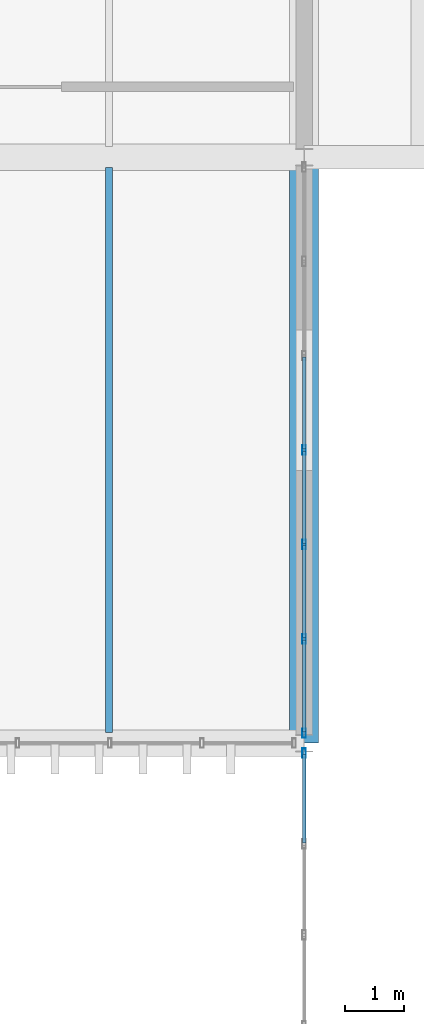
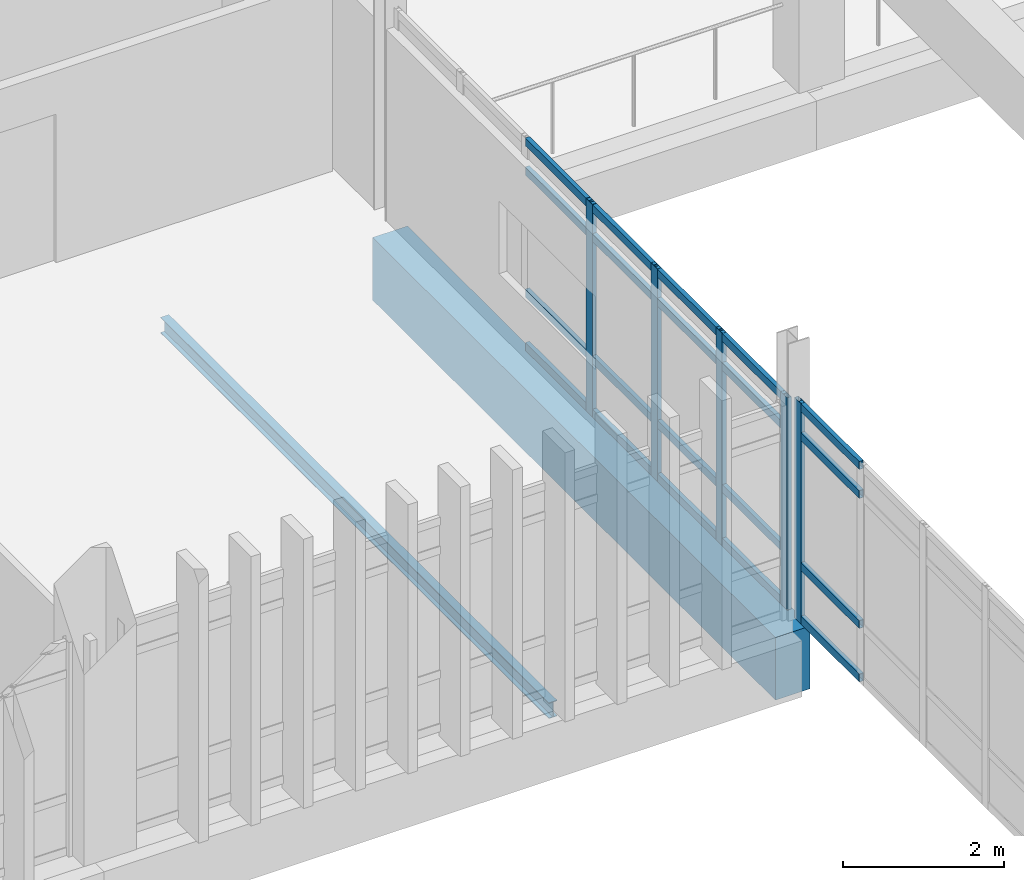
# One storey, part 48 of 111: 25 members, 2 beams, 2 elements without a shape of their own.
"""IFC4 building model written with IfcOpenShell, lengths in metres."""

from ifc_helpers import new_model, si_unit, direction, frame, origin, origin_2d, place, context, subcontext, project, spatial, rectangle, hollow_rectangle, i_section, extrude, material, layer, layer_set, material_profile, profile_set, type_object, element, aggregate, save


model = new_model("IFC4")

# Units and contexts
model_context = context("Model", 3, precision=1e-05, world=origin(), true_north=direction((0.0, 1.0)))
body_context = subcontext(model_context, "Body", "Model", "MODEL_VIEW")
ifc_project = project(units=[si_unit("LENGTHUNIT", "METRE"), si_unit("AREAUNIT", "SQUARE_METRE"), si_unit("VOLUMEUNIT", "CUBIC_METRE"), si_unit("PLANEANGLEUNIT", "RADIAN"), si_unit("MASSUNIT", "GRAM", prefix="KILO")], contexts=[model_context])

# Site, building, storey
site_placement = place(None, origin())
site = spatial("IfcSite", under=ifc_project, at=site_placement, CompositionType="ELEMENT")
building_placement = place(site_placement, origin())
building = spatial("IfcBuilding", under=site, at=building_placement, Name="Mersad Railyard Sports Hall", CompositionType="ELEMENT")
storey_placement = place(building_placement, frame((0.0, 0.0, 9.0)))
storey = spatial("IfcBuildingStorey", under=building, at=storey_placement, Name="L02", CompositionType="ELEMENT", Elevation=9.0)

# Curtain wall, member
ifc_material_1 = material(Name="Aluminium 6063-T6", Category="aluminium")
ifc_layer_1 = layer(ifc_material_1, 0.159912109375)
ifc_layer_set_1 = layer_set([ifc_layer_1], Name="Aluminium 6063-T6")
curtain_wall_type_1 = type_object("IfcCurtainWallType", Name="ARC-CW-CW20", PredefinedType="USERDEFINED", material=ifc_layer_set_1)
curtain_wall_1_placement = place(storey_placement, origin())
curtain_wall_1 = element("IfcCurtainWall", 1, at=curtain_wall_1_placement, inside=storey, type_object=curtain_wall_type_1, Name="Curtain wall CW20-0079", ObjectType="CURTAIN WALL", PredefinedType="USERDEFINED")
ifc_material_profile_1 = material_profile(ifc_material_1, hollow_rectangle(XDim=0.06005859375, YDim=0.159912109375, WallThickness=0.00390625, at=origin_2d()), Name="AL MULLION 60x160x4")
ifc_profile_set_1 = profile_set([ifc_material_profile_1], Name="Aluminium 6063-T6")
member_type_1 = type_object("IfcMemberType", Name="ARC-CW-MUL01", PredefinedType="MULLION", material=ifc_profile_set_1)
member_1_placement = place(storey_placement, frame((131.0, 84.830078125, -0.02001953125), z_axis=(0.0, 0.0, 1.0), x_axis=(1.0, 0.0, 0.0)))
member_1 = element("IfcMember", 2, at=member_1_placement, type_object=member_type_1, Name="CW20 Mullion 8", PredefinedType="MULLION", context=body_context, shape_type="SweptSolid", body=[
    extrude(hollow_rectangle(XDim=0.06005859375, YDim=0.159912109375, WallThickness=0.00390625, at=origin_2d()), origin(), (0.0, 0.0, 1.0), 3.340087890625),
])

# Curtain wall, members
ifc_layer_2 = layer(ifc_material_1, 0.159912109375)
ifc_layer_set_2 = layer_set([ifc_layer_2], Name="Aluminium 6063-T6")
curtain_wall_type_2 = type_object("IfcCurtainWallType", Name="ARC-CW-CW23", PredefinedType="USERDEFINED", material=ifc_layer_set_2)
curtain_wall_2_placement = place(storey_placement, origin())
curtain_wall_2 = element("IfcCurtainWall", 3, at=curtain_wall_2_placement, inside=storey, type_object=curtain_wall_type_2, Name="Curtain wall CW23-0081", ObjectType="CURTAIN WALL", PredefinedType="USERDEFINED")
member_2_placement = place(storey_placement, frame((131.0, 85.169921875, -0.02001953125), z_axis=(0.0, 0.0, 1.0), x_axis=(1.0, 0.0, 0.0)))
member_2 = element("IfcMember", 4, at=member_2_placement, type_object=member_type_1, Name="CW23 Mullion 1", PredefinedType="MULLION", context=body_context, shape_type="SweptSolid", body=[
    extrude(hollow_rectangle(XDim=0.06005859375, YDim=0.159912109375, WallThickness=0.00390625, at=origin_2d()), origin(), (0.0, 0.0, 1.0), 3.219970703125),
])
member_3_placement = place(storey_placement, frame((131.0, 86.780029296875, -0.02001953125), z_axis=(0.0, 0.0, 1.0), x_axis=(1.0, 0.0, 0.0)))
member_3 = element("IfcMember", 5, at=member_3_placement, type_object=member_type_1, Name="CW23 Mullion 2", PredefinedType="MULLION", context=body_context, shape_type="SweptSolid", body=[
    extrude(hollow_rectangle(XDim=0.06005859375, YDim=0.159912109375, WallThickness=0.00390625, at=origin_2d()), origin(), (0.0, 0.0, 1.0), 3.219970703125),
])
member_4_placement = place(storey_placement, frame((131.0, 88.389892578125, -0.02001953125), z_axis=(0.0, 0.0, 1.0), x_axis=(1.0, 0.0, 0.0)))
member_4 = element("IfcMember", 6, at=member_4_placement, type_object=member_type_1, Name="CW23 Mullion 3", PredefinedType="MULLION", context=body_context, shape_type="SweptSolid", body=[
    extrude(hollow_rectangle(XDim=0.06005859375, YDim=0.159912109375, WallThickness=0.00390625, at=origin_2d()), origin(), (0.0, 0.0, 1.0), 3.219970703125),
])
member_5_placement = place(storey_placement, frame((131.0, 90.0, -0.02001953125), z_axis=(0.0, 0.0, 1.0), x_axis=(1.0, 0.0, 0.0)))
member_5 = element("IfcMember", 7, at=member_5_placement, type_object=member_type_1, Name="CW23 Mullion 4", PredefinedType="MULLION", context=body_context, shape_type="SweptSolid", body=[
    extrude(hollow_rectangle(XDim=0.06005859375, YDim=0.159912109375, WallThickness=0.00390625, at=origin_2d()), origin(), (0.0, 0.0, 1.0), 3.219970703125),
])

# Member
ifc_material_profile_2 = material_profile(ifc_material_1, hollow_rectangle(XDim=0.06005859375, YDim=0.1201171875, WallThickness=0.00390625, at=origin_2d()), Name="AL TRANSOM 60x120x4")
ifc_profile_set_2 = profile_set([ifc_material_profile_2], Name="Aluminium 6063-T6")
member_type_2 = type_object("IfcMemberType", Name="ARC-CW-TRN01", PredefinedType="USERDEFINED", material=ifc_profile_set_2)
member_6_placement = place(storey_placement, frame((131.0, 83.298583984375, 0.0400390625), z_axis=(0.0, 1.0, 0.0), x_axis=(-1.0, 0.0, 0.0)))
member_6 = element("IfcMember", 8, at=member_6_placement, type_object=member_type_2, Name="CW20 Transom 1-7", ObjectType="TRANSOM", PredefinedType="USERDEFINED", context=body_context, shape_type="SweptSolid", body=[
    extrude(hollow_rectangle(XDim=0.06005859375, YDim=0.1201171875, WallThickness=0.00390625, at=origin_2d()), origin(), (0.0, 0.0, 1.0), 1.511474609375),
])

member_7_placement = place(storey_placement, frame((131.0, 83.298583984375, 0.85009765625), z_axis=(0.0, 1.0, 0.0), x_axis=(-1.0, 0.0, 0.0)))
member_7 = element("IfcMember", 9, at=member_7_placement, type_object=member_type_2, Name="CW20 Transom 2-7", ObjectType="TRANSOM", PredefinedType="USERDEFINED", context=body_context, shape_type="SweptSolid", body=[
    extrude(hollow_rectangle(XDim=0.06005859375, YDim=0.1201171875, WallThickness=0.00390625, at=origin_2d()), origin(), (0.0, 0.0, 1.0), 1.511474609375),
])

member_8_placement = place(storey_placement, frame((131.0, 83.298583984375, 2.820068359375), z_axis=(0.0, 1.0, 0.0), x_axis=(-1.0, 0.0, 0.0)))
member_8 = element("IfcMember", 10, at=member_8_placement, type_object=member_type_2, Name="CW20 Transom 3-7", ObjectType="TRANSOM", PredefinedType="USERDEFINED", context=body_context, shape_type="SweptSolid", body=[
    extrude(hollow_rectangle(XDim=0.06005859375, YDim=0.1201171875, WallThickness=0.00390625, at=origin_2d()), origin(), (0.0, 0.0, 1.0), 1.511474609375),
])

member_9_placement = place(storey_placement, frame((131.0, 83.298583984375, 3.260009765625), z_axis=(0.0, 1.0, 0.0), x_axis=(-1.0, 0.0, 0.0)))
member_9 = element("IfcMember", 11, at=member_9_placement, type_object=member_type_2, Name="CW20 Transom 4-7", ObjectType="TRANSOM", PredefinedType="USERDEFINED", context=body_context, shape_type="SweptSolid", body=[
    extrude(hollow_rectangle(XDim=0.06005859375, YDim=0.1201171875, WallThickness=0.00390625, at=origin_2d()), origin(), (0.0, 0.0, 1.0), 1.511474609375),
])

aggregate(curtain_wall_1, [member_1, member_6, member_7, member_8, member_9])

member_10_placement = place(storey_placement, frame((131.0, 85.18994140625, 0.0400390625), z_axis=(0.0, 1.0, 0.0), x_axis=(-1.0, 0.0, 0.0)))
member_10 = element("IfcMember", 12, at=member_10_placement, type_object=member_type_2, Name="CW23 Transom 1-1", ObjectType="TRANSOM", PredefinedType="USERDEFINED", context=body_context, shape_type="SweptSolid", body=[
    extrude(hollow_rectangle(XDim=0.06005859375, YDim=0.1201171875, WallThickness=0.00390625, at=origin_2d()), origin(), (0.0, 0.0, 1.0), 1.570068359375),
])

member_11_placement = place(storey_placement, frame((131.0, 86.800048828125, 0.0400390625), z_axis=(0.0, 1.0, 0.0), x_axis=(-1.0, 0.0, 0.0)))
member_11 = element("IfcMember", 13, at=member_11_placement, type_object=member_type_2, Name="CW23 Transom 1-2", ObjectType="TRANSOM", PredefinedType="USERDEFINED", context=body_context, shape_type="SweptSolid", body=[
    extrude(hollow_rectangle(XDim=0.06005859375, YDim=0.1201171875, WallThickness=0.00390625, at=origin_2d()), origin(), (0.0, 0.0, 1.0), 1.570068359375),
])

member_12_placement = place(storey_placement, frame((131.0, 88.409912109375, 0.0400390625), z_axis=(0.0, 1.0, 0.0), x_axis=(-1.0, 0.0, 0.0)))
member_12 = element("IfcMember", 14, at=member_12_placement, type_object=member_type_2, Name="CW23 Transom 1-3", ObjectType="TRANSOM", PredefinedType="USERDEFINED", context=body_context, shape_type="SweptSolid", body=[
    extrude(hollow_rectangle(XDim=0.06005859375, YDim=0.1201171875, WallThickness=0.00390625, at=origin_2d()), origin(), (0.0, 0.0, 1.0), 1.570068359375),
])

member_13_placement = place(storey_placement, frame((131.0, 90.02001953125, 0.0400390625), z_axis=(0.0, 1.0, 0.0), x_axis=(-1.0, 0.0, 0.0)))
member_13 = element("IfcMember", 15, at=member_13_placement, type_object=member_type_2, Name="CW23 Transom 1-4", ObjectType="TRANSOM", PredefinedType="USERDEFINED", context=body_context, shape_type="SweptSolid", body=[
    extrude(hollow_rectangle(XDim=0.06005859375, YDim=0.1201171875, WallThickness=0.00390625, at=origin_2d()), origin(), (0.0, 0.0, 1.0), 1.570068359375),
])

member_14_placement = place(storey_placement, frame((131.0, 85.18994140625, 0.85009765625), z_axis=(0.0, 1.0, 0.0), x_axis=(-1.0, 0.0, 0.0)))
member_14 = element("IfcMember", 16, at=member_14_placement, type_object=member_type_2, Name="CW23 Transom 2-1", ObjectType="TRANSOM", PredefinedType="USERDEFINED", context=body_context, shape_type="SweptSolid", body=[
    extrude(hollow_rectangle(XDim=0.06005859375, YDim=0.1201171875, WallThickness=0.00390625, at=origin_2d()), origin(), (0.0, 0.0, 1.0), 1.570068359375),
])

member_15_placement = place(storey_placement, frame((131.0, 86.800048828125, 0.85009765625), z_axis=(0.0, 1.0, 0.0), x_axis=(-1.0, 0.0, 0.0)))
member_15 = element("IfcMember", 17, at=member_15_placement, type_object=member_type_2, Name="CW23 Transom 2-2", ObjectType="TRANSOM", PredefinedType="USERDEFINED", context=body_context, shape_type="SweptSolid", body=[
    extrude(hollow_rectangle(XDim=0.06005859375, YDim=0.1201171875, WallThickness=0.00390625, at=origin_2d()), origin(), (0.0, 0.0, 1.0), 1.570068359375),
])

member_16_placement = place(storey_placement, frame((131.0, 88.409912109375, 0.85009765625), z_axis=(0.0, 1.0, 0.0), x_axis=(-1.0, 0.0, 0.0)))
member_16 = element("IfcMember", 18, at=member_16_placement, type_object=member_type_2, Name="CW23 Transom 2-3", ObjectType="TRANSOM", PredefinedType="USERDEFINED", context=body_context, shape_type="SweptSolid", body=[
    extrude(hollow_rectangle(XDim=0.06005859375, YDim=0.1201171875, WallThickness=0.00390625, at=origin_2d()), origin(), (0.0, 0.0, 1.0), 1.570068359375),
])

member_17_placement = place(storey_placement, frame((131.0, 90.02001953125, 0.85009765625), z_axis=(0.0, 1.0, 0.0), x_axis=(-1.0, 0.0, 0.0)))
member_17 = element("IfcMember", 19, at=member_17_placement, type_object=member_type_2, Name="CW23 Transom 2-4", ObjectType="TRANSOM", PredefinedType="USERDEFINED", context=body_context, shape_type="SweptSolid", body=[
    extrude(hollow_rectangle(XDim=0.06005859375, YDim=0.1201171875, WallThickness=0.00390625, at=origin_2d()), origin(), (0.0, 0.0, 1.0), 1.570068359375),
])

member_18_placement = place(storey_placement, frame((131.0, 85.18994140625, 2.699951171875), z_axis=(0.0, 1.0, 0.0), x_axis=(-1.0, 0.0, 0.0)))
member_18 = element("IfcMember", 20, at=member_18_placement, type_object=member_type_2, Name="CW23 Transom 3-1", ObjectType="TRANSOM", PredefinedType="USERDEFINED", context=body_context, shape_type="SweptSolid", body=[
    extrude(hollow_rectangle(XDim=0.06005859375, YDim=0.1201171875, WallThickness=0.00390625, at=origin_2d()), origin(), (0.0, 0.0, 1.0), 1.570068359375),
])

member_19_placement = place(storey_placement, frame((131.0, 86.800048828125, 2.699951171875), z_axis=(0.0, 1.0, 0.0), x_axis=(-1.0, 0.0, 0.0)))
member_19 = element("IfcMember", 21, at=member_19_placement, type_object=member_type_2, Name="CW23 Transom 3-2", ObjectType="TRANSOM", PredefinedType="USERDEFINED", context=body_context, shape_type="SweptSolid", body=[
    extrude(hollow_rectangle(XDim=0.06005859375, YDim=0.1201171875, WallThickness=0.00390625, at=origin_2d()), origin(), (0.0, 0.0, 1.0), 1.570068359375),
])

member_20_placement = place(storey_placement, frame((131.0, 88.409912109375, 2.699951171875), z_axis=(0.0, 1.0, 0.0), x_axis=(-1.0, 0.0, 0.0)))
member_20 = element("IfcMember", 22, at=member_20_placement, type_object=member_type_2, Name="CW23 Transom 3-3", ObjectType="TRANSOM", PredefinedType="USERDEFINED", context=body_context, shape_type="SweptSolid", body=[
    extrude(hollow_rectangle(XDim=0.06005859375, YDim=0.1201171875, WallThickness=0.00390625, at=origin_2d()), origin(), (0.0, 0.0, 1.0), 1.570068359375),
])

member_21_placement = place(storey_placement, frame((131.0, 90.02001953125, 2.699951171875), z_axis=(0.0, 1.0, 0.0), x_axis=(-1.0, 0.0, 0.0)))
member_21 = element("IfcMember", 23, at=member_21_placement, type_object=member_type_2, Name="CW23 Transom 3-4", ObjectType="TRANSOM", PredefinedType="USERDEFINED", context=body_context, shape_type="SweptSolid", body=[
    extrude(hollow_rectangle(XDim=0.06005859375, YDim=0.1201171875, WallThickness=0.00390625, at=origin_2d()), origin(), (0.0, 0.0, 1.0), 1.570068359375),
])

member_22_placement = place(storey_placement, frame((131.0, 85.18994140625, 3.139892578125), z_axis=(0.0, 1.0, 0.0), x_axis=(-1.0, 0.0, 0.0)))
member_22 = element("IfcMember", 24, at=member_22_placement, type_object=member_type_2, Name="CW23 Transom 4-1", ObjectType="TRANSOM", PredefinedType="USERDEFINED", context=body_context, shape_type="SweptSolid", body=[
    extrude(hollow_rectangle(XDim=0.06005859375, YDim=0.1201171875, WallThickness=0.00390625, at=origin_2d()), origin(), (0.0, 0.0, 1.0), 1.570068359375),
])

member_23_placement = place(storey_placement, frame((131.0, 86.800048828125, 3.139892578125), z_axis=(0.0, 1.0, 0.0), x_axis=(-1.0, 0.0, 0.0)))
member_23 = element("IfcMember", 25, at=member_23_placement, type_object=member_type_2, Name="CW23 Transom 4-2", ObjectType="TRANSOM", PredefinedType="USERDEFINED", context=body_context, shape_type="SweptSolid", body=[
    extrude(hollow_rectangle(XDim=0.06005859375, YDim=0.1201171875, WallThickness=0.00390625, at=origin_2d()), origin(), (0.0, 0.0, 1.0), 1.570068359375),
])

member_24_placement = place(storey_placement, frame((131.0, 88.409912109375, 3.139892578125), z_axis=(0.0, 1.0, 0.0), x_axis=(-1.0, 0.0, 0.0)))
member_24 = element("IfcMember", 26, at=member_24_placement, type_object=member_type_2, Name="CW23 Transom 4-3", ObjectType="TRANSOM", PredefinedType="USERDEFINED", context=body_context, shape_type="SweptSolid", body=[
    extrude(hollow_rectangle(XDim=0.06005859375, YDim=0.1201171875, WallThickness=0.00390625, at=origin_2d()), origin(), (0.0, 0.0, 1.0), 1.570068359375),
])

member_25_placement = place(storey_placement, frame((131.0, 90.02001953125, 3.139892578125), z_axis=(0.0, 1.0, 0.0), x_axis=(-1.0, 0.0, 0.0)))
member_25 = element("IfcMember", 27, at=member_25_placement, type_object=member_type_2, Name="CW23 Transom 4-4", ObjectType="TRANSOM", PredefinedType="USERDEFINED", context=body_context, shape_type="SweptSolid", body=[
    extrude(hollow_rectangle(XDim=0.06005859375, YDim=0.1201171875, WallThickness=0.00390625, at=origin_2d()), origin(), (0.0, 0.0, 1.0), 1.570068359375),
])

aggregate(curtain_wall_2, [member_2, member_3, member_4, member_5, member_10, member_11, member_12, member_13, member_14, member_15, member_16, member_17, member_18, member_19, member_20, member_21, member_22, member_23, member_24, member_25])

# Beams
ifc_material_2 = material(Name="Concrete C50/60", Category="concrete")
ifc_material_profile_3 = material_profile(ifc_material_2, rectangle(XDim=0.5, YDim=0.949951171875, at=origin_2d()), Name="RC 500x950")
ifc_profile_set_3 = profile_set([ifc_material_profile_3], Name="Concrete C50/60")
beam_type_1 = type_object("IfcBeamType", Name="STR-BM-B03", PredefinedType="BEAM", material=ifc_profile_set_3)
beam_1_placement = place(storey_placement, frame((131.0, 85.0, -0.77490234375), z_axis=(0.0, 1.0, 0.0), x_axis=(-1.0, 0.0, 0.0)))
element("IfcBeam", 28, at=beam_1_placement, inside=storey, type_object=beam_type_1, Name="Beam B03-1121", PredefinedType="BEAM", context=body_context, shape_type="SweptSolid", body=[
    extrude(rectangle(XDim=0.5, YDim=0.949951171875, at=origin_2d()), origin(), (0.0, 0.0, 1.0), 10.0),
])
ifc_material_3 = material(Name="Steel S355", Category="steel")
ifc_material_profile_4 = material_profile(ifc_material_3, i_section(OverallWidth=0.1201171875, OverallDepth=0.239990234375, WebThickness=0.006103515625, FlangeThickness=0.009765625, at=origin_2d()), Name="IPE 240")
ifc_profile_set_4 = profile_set([ifc_material_profile_4], Name="Steel S355")
beam_type_2 = type_object("IfcBeamType", Name="STR-BM-SB03", PredefinedType="BEAM", material=ifc_profile_set_4)
beam_2_placement = place(storey_placement, frame((127.6669921875, 85.179931640625, -0.419921875), z_axis=(0.0, 1.0, 0.0), x_axis=(-1.0, 0.0, 0.0)))
element("IfcBeam", 29, at=beam_2_placement, inside=storey, type_object=beam_type_2, Name="Beam SB03-1187", PredefinedType="BEAM", context=body_context, shape_type="SweptSolid", body=[
    extrude(i_section(OverallWidth=0.1201171875, OverallDepth=0.239990234375, WebThickness=0.006103515625, FlangeThickness=0.009765625, at=origin_2d()), origin(), (0.0, 0.0, 1.0), 9.64013671875),
])

save(model, "model.ifc")
